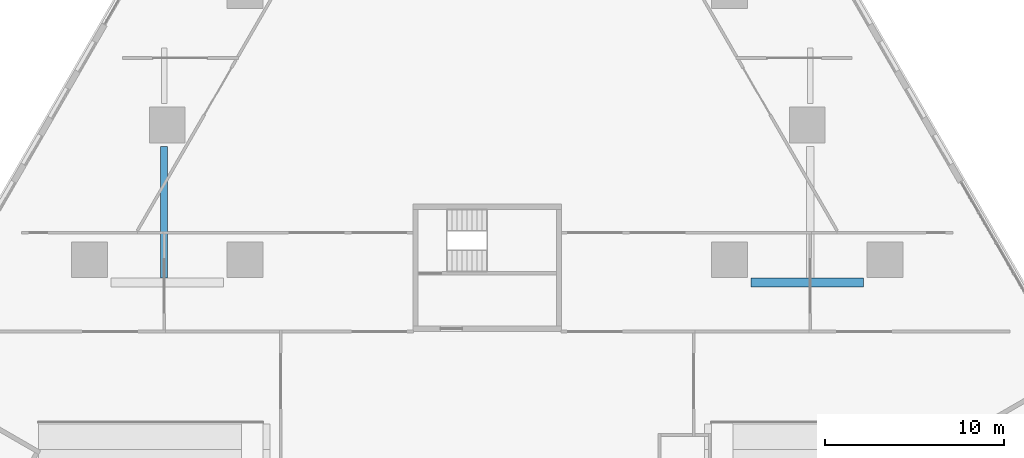
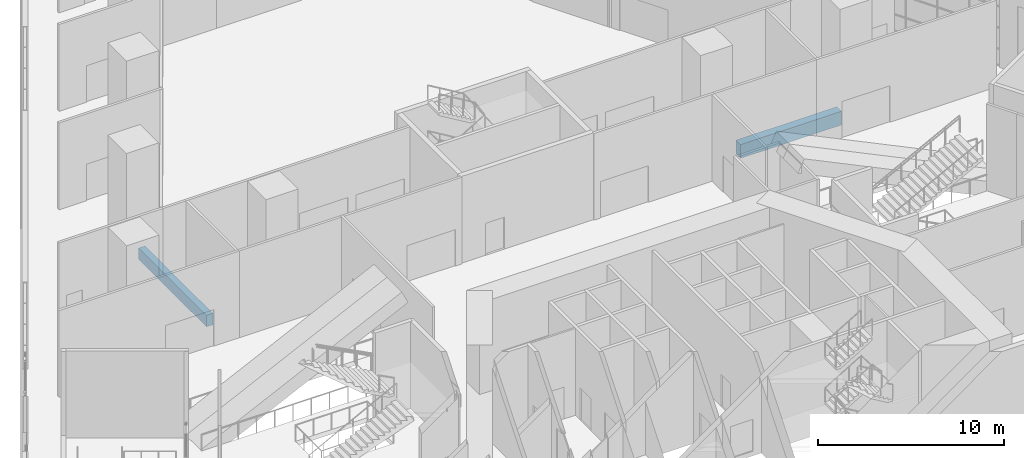
# One storey, part 5 of 27: 2 beams.
"""IFC4 building model written with IfcOpenShell, lengths in metres."""

from ifc_helpers import new_model, si_unit, direction, frame, origin, origin_2d, place, context, subcontext, project, spatial, rectangle, extrude, material, material_profile, profile_set, type_object, element, save


model = new_model("IFC4")

# Units and contexts
model_context = context("Model", 3, precision=1e-05, world=origin(), true_north=direction((0.0, 1.0)))
body_context = subcontext(model_context, "Body", "Model", "MODEL_VIEW")
ifc_project = project(units=[si_unit("LENGTHUNIT", "METRE"), si_unit("AREAUNIT", "SQUARE_METRE"), si_unit("VOLUMEUNIT", "CUBIC_METRE"), si_unit("PLANEANGLEUNIT", "RADIAN"), si_unit("MASSUNIT", "GRAM", prefix="KILO")], contexts=[model_context])

# Site, building, storey
site_placement = place(None, origin())
site = spatial("IfcSite", under=ifc_project, at=site_placement, CompositionType="ELEMENT")
building_placement = place(site_placement, origin())
building = spatial("IfcBuilding", under=site, at=building_placement, Name="Fogline Exchange Tower", CompositionType="ELEMENT")
storey_placement = place(building_placement, frame((0.0, 0.0, 8.0)))
storey = spatial("IfcBuildingStorey", under=building, at=storey_placement, Name="L01", CompositionType="ELEMENT", Elevation=8.0)

# Beams
ifc_material = material(Name="Concrete C40", Category="concrete")
ifc_material_profile_1 = material_profile(ifc_material, rectangle(XDim=0.5, YDim=0.89990234375, at=origin_2d()), Name="RC 500x900")
ifc_profile_set_1 = profile_set([ifc_material_profile_1], Name="Concrete C40")
beam_type_1 = type_object("IfcBeamType", Name="B02", PredefinedType="BEAM", material=ifc_profile_set_1)
beam_1_placement = place(storey_placement, frame((14.699951171875, 31.5, -0.75), z_axis=(1.0, 0.0, 0.0), x_axis=(0.0, 1.0, 0.0)))
element("IfcBeam", 1, at=beam_1_placement, inside=storey, type_object=beam_type_1, Name="GB009", PredefinedType="BEAM", context=body_context, shape_type="SweptSolid", body=[
    extrude(rectangle(XDim=0.5, YDim=0.89990234375, at=origin_2d()), origin(), (0.0, 0.0, 1.0), 6.258056640625),
])
ifc_material_profile_2 = material_profile(ifc_material, rectangle(XDim=0.39990234375, YDim=0.75, at=origin_2d()), Name="RC 400x750")
ifc_profile_set_2 = profile_set([ifc_material_profile_2], Name="Concrete C40")
beam_type_2 = type_object("IfcBeamType", Name="B05", PredefinedType="BEAM", material=ifc_profile_set_2)
beam_2_placement = place(storey_placement, frame((-18.0, 31.75, -0.675048828125), z_axis=(0.0, 1.0, 0.0), x_axis=(-1.0, 0.0, 0.0)))
element("IfcBeam", 2, at=beam_2_placement, inside=storey, type_object=beam_type_2, Name="SB014", PredefinedType="BEAM", context=body_context, shape_type="SweptSolid", body=[
    extrude(rectangle(XDim=0.39990234375, YDim=0.75, at=origin_2d()), origin(), (0.0, 0.0, 1.0), 7.30810546875),
])

save(model, "model.ifc")
